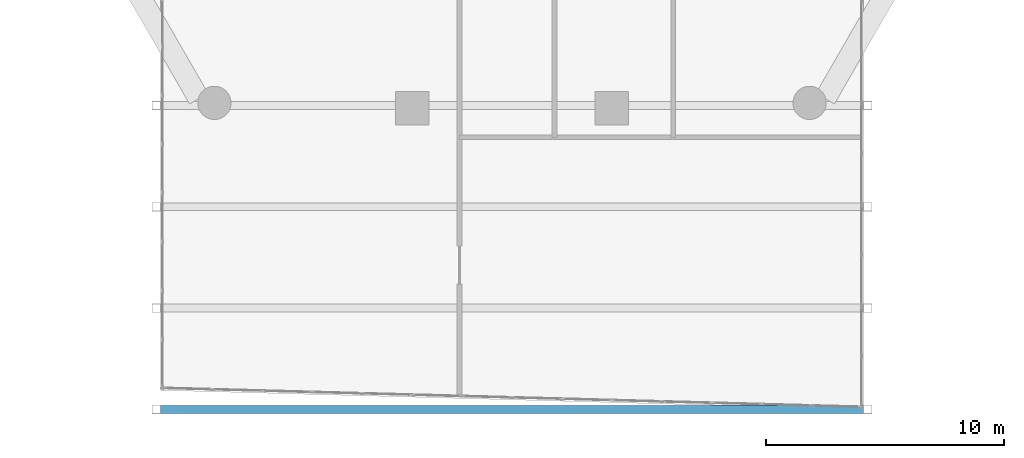
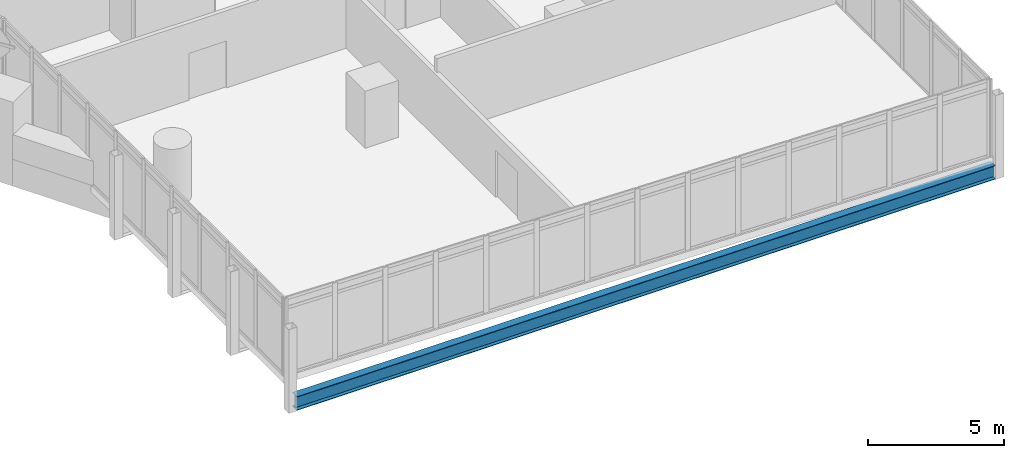
# One storey, part 4 of 35: 1 beam.
"""IFC4 building model written with IfcOpenShell, lengths in metres."""

from ifc_helpers import new_model, si_unit, direction, frame, origin, origin_2d, place, context, subcontext, project, spatial, i_section, extrude, material, material_profile, profile_set, type_object, element, save


model = new_model("IFC4")

# Units and contexts
model_context = context("Model", 3, precision=1e-05, world=origin(), true_north=direction((0.0, 1.0)))
body_context = subcontext(model_context, "Body", "Model", "MODEL_VIEW")
ifc_project = project(units=[si_unit("LENGTHUNIT", "METRE"), si_unit("AREAUNIT", "SQUARE_METRE"), si_unit("VOLUMEUNIT", "CUBIC_METRE"), si_unit("PLANEANGLEUNIT", "RADIAN"), si_unit("MASSUNIT", "GRAM", prefix="KILO")], contexts=[model_context])

# Site, building, storey
site_placement = place(None, origin())
site = spatial("IfcSite", under=ifc_project, at=site_placement, CompositionType="ELEMENT")
building_placement = place(site_placement, origin())
building = spatial("IfcBuilding", under=site, at=building_placement, Name="Ostrander Bayou Hotel Tower", CompositionType="ELEMENT")
storey_placement = place(building_placement, frame((0.0, 0.0, 69.25)))
storey = spatial("IfcBuildingStorey", under=building, at=storey_placement, Name="L17", CompositionType="ELEMENT", Elevation=69.25)

# Beam
ifc_material = material(Name="Steel ASTM A992", Category="steel")
ifc_material_profile = material_profile(ifc_material, i_section(OverallWidth=0.32763671875, OverallDepth=0.621826171875, WebThickness=0.015380859375, FlangeThickness=0.0244140625, at=origin_2d()))
ifc_profile_set = profile_set([ifc_material_profile], Name="Steel ASTM A992")
beam_type = type_object("IfcBeamType", Name="TF1 bar floor beam W24x131", PredefinedType="BEAM", material=ifc_profile_set)
beam_placement = place(storey_placement, frame((-14.787109375, -32.949951171875, -0.61083984375), z_axis=(1.0, 0.0, 0.0), x_axis=(0.0, 1.0, 0.0)))
element("IfcBeam", 1, at=beam_placement, inside=storey, type_object=beam_type, Name="TF1 SB1S L2-4", PredefinedType="BEAM", context=body_context, shape_type="SweptSolid", body=[
    extrude(i_section(OverallWidth=0.32763671875, OverallDepth=0.621826171875, WebThickness=0.015380859375, FlangeThickness=0.0244140625, at=origin_2d()), origin(), (0.0, 0.0, 1.0), 29.57421875),
])

save(model, "model.ifc")
